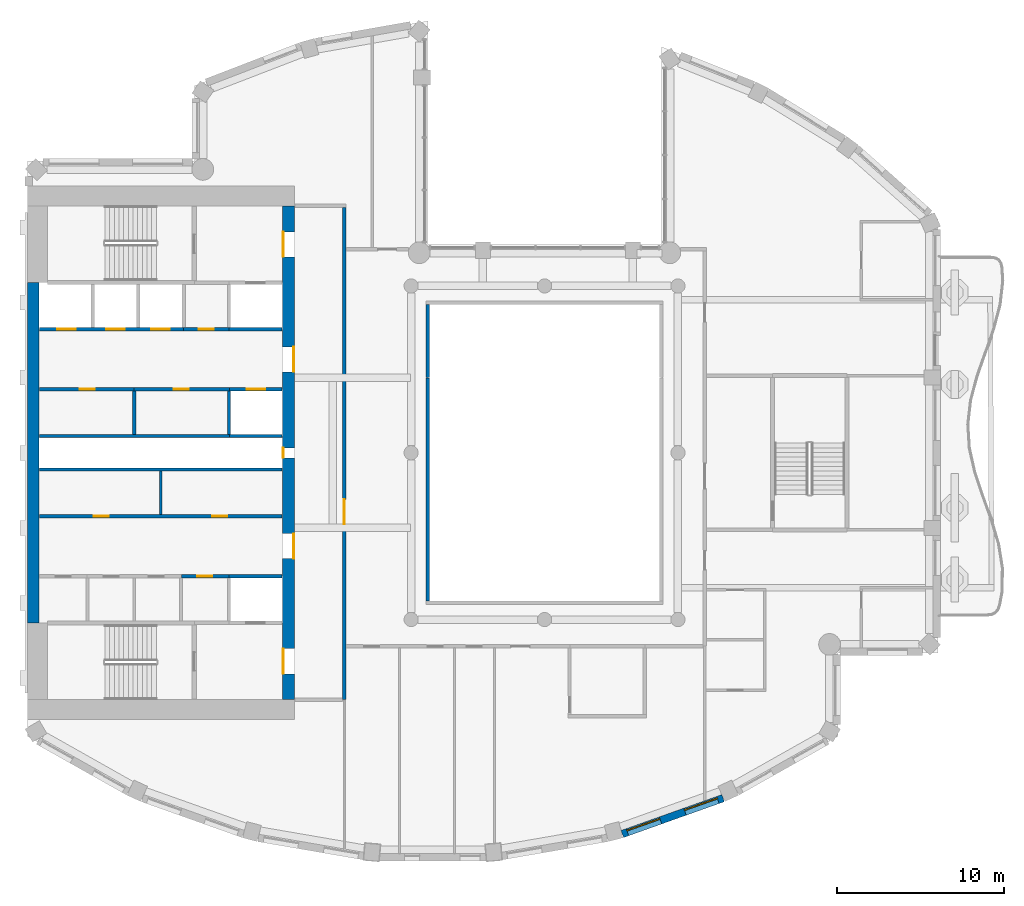
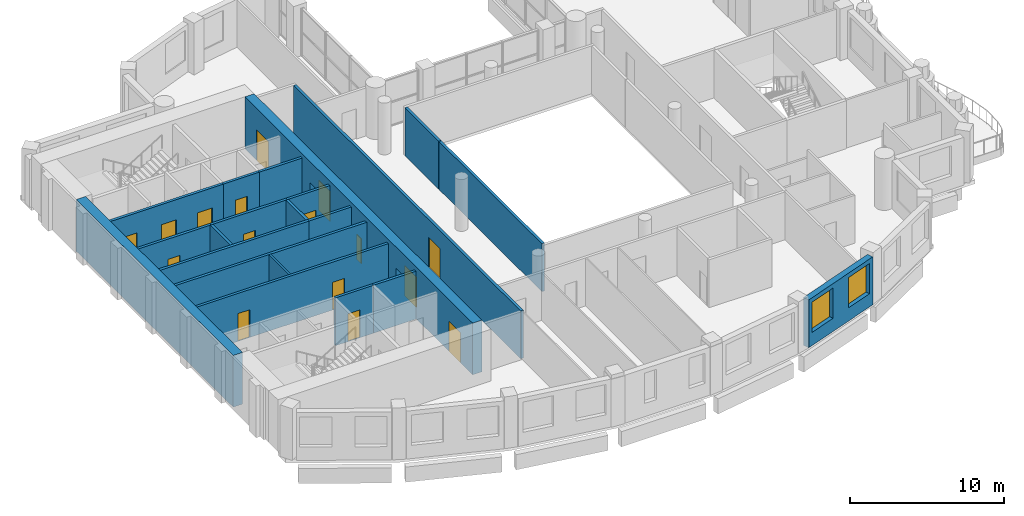
# One storey, part 5 of 15: 21 walls, 16 doors, 2 windows, 18 openings.
"""IFC4 building model written with IfcOpenShell, lengths in metres."""

import ifcopenshell
import ifcopenshell.guid

model = None  # the IFC model being written
_history = None  # IfcOwnerHistory: only IFC2X3 demands one
_inside = {}  # id of a spatial element -> (the spatial element, [elements in it])
_under = {}  # id of a project, library or spatial element -> (it, [spatial elements below it])
_declared = {}  # id of a project -> (the project, [libraries it declares])
_typed = {}  # id of a type object -> (the type object, [elements of that type])
_made_of = {}  # id of a material, layer set ... -> (it, [elements and type objects made of it])


def new_model(schema):
    """Start an empty IFC model of exactly this schema.

    Asked for "IFC4X3", IfcOpenShell would pick the latest addendum, in which some entities
    have other attributes; the version numbers below select the first issue.
    IFC2X3 requires an IfcOwnerHistory on every rooted entity: one is made here for all.
    """
    global model, _history
    if schema == "IFC4X3":
        model = ifcopenshell.file(schema_version=(4, 3, 0, 0))
    else:
        model = ifcopenshell.file(schema=schema)
    _inside.clear()
    _under.clear()
    _declared.clear()
    _typed.clear()
    _made_of.clear()
    _history = None
    if model.schema == "IFC2X3":
        org = make("IfcOrganization", Name="unknown")
        user = make(
            "IfcPersonAndOrganization",
            ThePerson=make("IfcPerson", FamilyName="unknown"),
            TheOrganization=org,
        )
        app = make(
            "IfcApplication",
            ApplicationDeveloper=org,
            Version="unknown",
            ApplicationFullName="unknown",
            ApplicationIdentifier="unknown",
        )
        _history = make(
            "IfcOwnerHistory",
            OwningUser=user,
            OwningApplication=app,
            ChangeAction="ADDED",
            CreationDate=0,
        )
    return model


def make(cls, **values):
    """One entity of the class cls with the attributes given. An attribute that is None is left unset."""
    return model.create_entity(
        cls, **{name: value for name, value in values.items() if value is not None}
    )


def rooted(cls, **values):
    """An entity with a GlobalId (a new one), such as an element, a storey or a relation."""
    return make(cls, GlobalId=ifcopenshell.guid.new(), OwnerHistory=_history, **values)


def si_unit(unit_type, name, prefix=None):
    """IfcSIUnit, for example si_unit("LENGTHUNIT", "METRE", prefix="MILLI")."""
    return make("IfcSIUnit", UnitType=unit_type, Prefix=prefix, Name=name)


def assignment(units):
    """IfcUnitAssignment: the units of a project."""
    return None if units is None else make("IfcUnitAssignment", Units=units)


def point(xyz):
    """IfcCartesianPoint."""
    return None if xyz is None else make("IfcCartesianPoint", Coordinates=xyz)


def direction(xyz):
    """IfcDirection."""
    return None if xyz is None else make("IfcDirection", DirectionRatios=xyz)


def frame(location, z_axis=None, x_axis=None):
    """IfcAxis2Placement3D, a coordinate frame: its origin and axes. An axis left out is left unset."""
    return make(
        "IfcAxis2Placement3D",
        Location=point(location),
        Axis=direction(z_axis),
        RefDirection=direction(x_axis),
    )


def frame_2d(location, x_axis=None):
    """IfcAxis2Placement2D, a coordinate frame in the plane: its origin and x axis."""
    return make(
        "IfcAxis2Placement2D", Location=point(location), RefDirection=direction(x_axis)
    )


def origin():
    """The frame at (0, 0, 0) with its axes left unset."""
    return frame((0.0, 0.0, 0.0))


def place(relative_to, where):
    """IfcLocalPlacement: puts the frame where relative to a parent placement (None: the world)."""
    return make(
        "IfcLocalPlacement", PlacementRelTo=relative_to, RelativePlacement=where
    )


def context(
    kind, dimensions, precision=None, world=None, true_north=None, identifier=None
):
    """IfcGeometricRepresentationContext, for example the 3D "Model" context."""
    return make(
        "IfcGeometricRepresentationContext",
        ContextIdentifier=identifier,
        ContextType=kind,
        CoordinateSpaceDimension=dimensions,
        Precision=precision,
        WorldCoordinateSystem=world,
        TrueNorth=true_north,
    )


def subcontext(parent, identifier, kind, view, scale=None):
    """IfcGeometricRepresentationSubContext, for example "Body" below "Model"."""
    return make(
        "IfcGeometricRepresentationSubContext",
        ContextIdentifier=identifier,
        ContextType=kind,
        ParentContext=parent,
        TargetScale=scale,
        TargetView=view,
    )


def project(units=None, contexts=None):
    """IfcProject with its units and contexts."""
    return rooted(
        "IfcProject",
        Name="project",
        RepresentationContexts=contexts,
        UnitsInContext=assignment(units),
    )


def spatial(cls, under=None, at=None, **own):
    """A site, building, storey or space (cls), placed at a placement, below another one or the project."""
    s = rooted(cls, ObjectPlacement=at, **own)
    if under is not None:
        _under.setdefault(under.id(), (under, []))[1].append(s)
    return s


def profile(cls, at=None, kind="AREA", **sizes):
    """A parametric profile (cls). Its sizes go by their IFC names, for example OverallWidth=200.0."""
    return make(cls, ProfileType=kind, Position=at, **sizes)


def rectangle(**sizes):
    """IfcRectangleProfileDef."""
    return profile("IfcRectangleProfileDef", **sizes)


def extrude(swept, where, along, depth):
    """IfcExtrudedAreaSolid: the profile swept, set in the frame where, extruded along a direction by depth."""
    return make(
        "IfcExtrudedAreaSolid",
        SweptArea=swept,
        Position=where,
        ExtrudedDirection=direction(along),
        Depth=depth,
    )


def shape(context_of_items, identifier, shape_type, items):
    """IfcShapeRepresentation: the items that make up one representation, for example the "Body"."""
    return make(
        "IfcShapeRepresentation",
        ContextOfItems=context_of_items,
        RepresentationIdentifier=identifier,
        RepresentationType=shape_type,
        Items=items,
    )


def material(Name=None, Category=None):
    """IfcMaterial."""
    return make("IfcMaterial", Name=Name, Category=Category)


def layer(
    of_material, thickness, ventilated=None, Name=None, Category=None, Priority=None
):
    """IfcMaterialLayer: one layer of a wall or slab, of a material (None: an air gap)."""
    return make(
        "IfcMaterialLayer",
        Material=of_material,
        LayerThickness=thickness,
        IsVentilated=ventilated,
        Name=Name,
        Category=Category,
        Priority=Priority,
    )


def layer_set(layers, Name=None):
    """IfcMaterialLayerSet."""
    return make("IfcMaterialLayerSet", MaterialLayers=layers, LayerSetName=Name)


def made_of(thing, what):
    """Note that an element or type object is made of a material, layer set ...; save() writes the relation."""
    if what is not None:
        _made_of.setdefault(what.id(), (what, []))[1].append(thing)
    return thing


def type_object(cls, material=None, **own):
    """A type object (cls), such as IfcWallType, which elements share."""
    return made_of(rooted(cls, **own), material)


def element(
    cls,
    number,
    at=None,
    inside=None,
    cuts=None,
    type_object=None,
    material=None,
    context=None,
    identifier="Body",
    shape_type=None,
    held_by="IfcProductDefinitionShape",
    body=None,
    shapes=None,
    **own,
):
    """One element of the class cls, such as IfcWall. Its Tag is "e" and its number.

    at: its placement. inside: the storey or other place that contains it. cuts: it is an
    opening in that element (IfcRelVoidsElement). A single representation is given by context,
    identifier, shape_type and body (its items); several are given by shapes. held_by: the class
    of the entity that holds the representations. save() writes the other relations.
    """
    e = rooted(cls, Tag="e%d" % number, ObjectPlacement=at, **own)
    if body is not None:
        shapes = [shape(context, identifier, shape_type, body)]
    if shapes is not None:
        e.Representation = make(held_by, Representations=shapes)
    if inside is not None:
        _inside.setdefault(inside.id(), (inside, []))[1].append(e)
    if cuts is not None:
        rooted(
            "IfcRelVoidsElement", RelatingBuildingElement=cuts, RelatedOpeningElement=e
        )
    if type_object is not None:
        _typed.setdefault(type_object.id(), (type_object, []))[1].append(e)
    return made_of(e, material)


def fill(opening, filler):
    """IfcRelFillsElement: the door or window that sits in an opening."""
    return rooted(
        "IfcRelFillsElement",
        RelatingOpeningElement=opening,
        RelatedBuildingElement=filler,
    )


def aggregate(whole, parts):
    """IfcRelAggregates: a whole, such as a stair, and the parts it consists of."""
    return rooted("IfcRelAggregates", RelatingObject=whole, RelatedObjects=parts)


def save(model, path):
    """Write the relations noted so far, then the file.

    IfcRelAggregates (storeys below a building ...), IfcRelContainedInSpatialStructure (elements
    in a storey), IfcRelDefinesByType, IfcRelAssociatesMaterial and IfcRelDeclares: one each for
    every whole, place, type object, material and project.
    """
    for whole, parts in _under.values():
        aggregate(whole, parts)
    for where, things in _inside.values():
        rooted(
            "IfcRelContainedInSpatialStructure",
            RelatedElements=things,
            RelatingStructure=where,
        )
    for kind, things in _typed.values():
        rooted("IfcRelDefinesByType", RelatedObjects=things, RelatingType=kind)
    for what, things in _made_of.values():
        rooted("IfcRelAssociatesMaterial", RelatedObjects=things, RelatingMaterial=what)
    for by, libraries in _declared.values():
        rooted("IfcRelDeclares", RelatingContext=by, RelatedDefinitions=libraries)
    model.write(path)


model = new_model("IFC4")

# Units and contexts
model_context = context("Model", 3, precision=1e-05, world=origin(), true_north=direction((0.0, 1.0)))
body_context = subcontext(model_context, "Body", "Model", "MODEL_VIEW")
ifc_project = project(units=[si_unit("LENGTHUNIT", "METRE"), si_unit("AREAUNIT", "SQUARE_METRE"), si_unit("VOLUMEUNIT", "CUBIC_METRE"), si_unit("PLANEANGLEUNIT", "RADIAN"), si_unit("MASSUNIT", "GRAM", prefix="KILO")], contexts=[model_context])

# Site, building, storey
site_placement = place(None, origin())
site = spatial("IfcSite", under=ifc_project, at=site_placement, CompositionType="ELEMENT")
building_placement = place(site_placement, origin())
building = spatial("IfcBuilding", under=site, at=building_placement, Name="Cypress Arch Tower", CompositionType="ELEMENT")
storey_placement = place(building_placement, frame((0.0, 0.0, 292.60009765625)))
storey = spatial("IfcBuildingStorey", under=building, at=storey_placement, Name="L66", CompositionType="ELEMENT", Elevation=292.60009765625)

# Wall, openings, windows
ifc_material_1 = material(Name="Brick (red buff blend)", Category="masonry")
ifc_layer_1 = layer(ifc_material_1, 0.449951171875)
ifc_layer_set_1 = layer_set([ifc_layer_1], Name="Brick pier and spandrel wall BW450")
wall_type_1 = type_object("IfcWallType", Name="Brick pier and spandrel wall BW450", PredefinedType="SOLIDWALL", material=ifc_layer_set_1)
wall_1_placement = place(storey_placement, frame((5.66455078125, -22.859375, 0.0), z_axis=(0.0, 0.0, 1.0), x_axis=(0.942108340262, 0.335308626803, 0.0)))
wall_1 = element("IfcWall", 1, at=wall_1_placement, inside=storey, type_object=wall_type_1, Name="Brick wall L66 C13.0", PredefinedType="SOLIDWALL", context=body_context, shape_type="SweptSolid", body=[
    extrude(rectangle(XDim=6.41162109375, YDim=0.449951171875, at=frame_2d((3.205810546875, 0.0))), origin(), (0.0, 0.0, 1.0), 3.7998046875),
])
opening_1_placement = place(wall_1_placement, frame((0.3271484375, 0.0, 1.050048828125)))
opening_1 = element("IfcOpeningElement", 2, at=opening_1_placement, cuts=wall_1, Name="Opening W210O", PredefinedType="OPENING", context=body_context, shape_type="SweptSolid", body=[
    extrude(rectangle(XDim=2.10009765625, YDim=2.39990234375, at=frame_2d((1.050048828125, 1.199951171875))), frame((0.0, 0.23486328125, 0.0), z_axis=(0.0, -1.0, 0.0), x_axis=(1.0, 0.0, 0.0)), (0.0, 0.0, 1.0), 0.469970703125),
])
opening_2_placement = place(wall_1_placement, frame((3.984619140625, 0.0, 1.050048828125)))
opening_2 = element("IfcOpeningElement", 3, at=opening_2_placement, cuts=wall_1, Name="Opening W210O", PredefinedType="OPENING", context=body_context, shape_type="SweptSolid", body=[
    extrude(rectangle(XDim=2.10009765625, YDim=2.39990234375, at=frame_2d((1.050048828125, 1.199951171875))), frame((0.0, 0.23486328125, 0.0), z_axis=(0.0, -1.0, 0.0), x_axis=(1.0, 0.0, 0.0)), (0.0, 0.0, 1.0), 0.469970703125),
])
ifc_material_2 = material(Name="Anodised aluminium, bronze finish, clear low-emissivity double glazing", Category="aluminium")
window_type = type_object("IfcWindowType", Name="Window Office 2100x2400", PartitioningType="SINGLE_PANEL", PredefinedType="WINDOW", material=ifc_material_2)
window_1_placement = place(opening_1_placement, origin())
window_1 = element("IfcWindow", 4, at=window_1_placement, inside=storey, type_object=window_type, Name="Window L66 C13.0.1", OverallHeight=2.39990234375, OverallWidth=2.10009765625, PartitioningType="SINGLE_PANEL", PredefinedType="WINDOW", context=body_context, shape_type="SweptSolid", body=[
    extrude(rectangle(XDim=2.10009765625, YDim=2.39990234375, at=frame_2d((1.050048828125, 1.199951171875))), frame((0.0, 0.135009765625, 0.0), z_axis=(0.0, -1.0, 0.0), x_axis=(1.0, 0.0, 0.0)), (0.0, 0.0, 1.0), 0.06005859375),
])
fill(opening_1, window_1)
window_2_placement = place(opening_2_placement, origin())
window_2 = element("IfcWindow", 5, at=window_2_placement, inside=storey, type_object=window_type, Name="Window L66 C13.0.2", OverallHeight=2.39990234375, OverallWidth=2.10009765625, PartitioningType="SINGLE_PANEL", PredefinedType="WINDOW", context=body_context, shape_type="SweptSolid", body=[
    extrude(rectangle(XDim=2.10009765625, YDim=2.39990234375, at=frame_2d((1.050048828125, 1.199951171875))), frame((0.0, 0.135009765625, 0.0), z_axis=(0.0, -1.0, 0.0), x_axis=(1.0, 0.0, 0.0)), (0.0, 0.0, 1.0), 0.06005859375),
])
fill(opening_2, window_2)

# Wall, openings, doors
ifc_material_3 = material(Name="Concrete C60/75", Category="concrete")
ifc_layer_2 = layer(ifc_material_3, 0.699951171875)
ifc_layer_set_2 = layer_set([ifc_layer_2], Name="Core wall CW700 C60/75")
wall_type_2 = type_object("IfcWallType", Name="Core wall CW700 C60/75", PredefinedType="SHEAR", material=ifc_layer_set_2)
wall_2_placement = place(storey_placement, frame((-14.35009765625, -14.800048828125, 0.0), z_axis=(0.0, 0.0, 1.0), x_axis=(0.0, 1.0, 0.0)))
wall_2 = element("IfcWall", 6, at=wall_2_placement, inside=storey, type_object=wall_type_2, Name="Core wall", PredefinedType="SHEAR", context=body_context, shape_type="SweptSolid", body=[
    extrude(rectangle(XDim=29.60009765625, YDim=0.699951171875, at=frame_2d((14.800048828125, 0.0))), origin(), (0.0, 0.0, 1.0), 4.099853515625),
])
opening_3_placement = place(wall_2_placement, frame((1.550048828125, 0.0, 0.0)))
opening_3 = element("IfcOpeningElement", 7, at=opening_3_placement, cuts=wall_2, Name="Opening D07", PredefinedType="OPENING", context=body_context, shape_type="SweptSolid", body=[
    extrude(rectangle(XDim=1.5, YDim=2.39990234375, at=frame_2d((0.75, 1.199951171875))), frame((0.0, 0.35986328125, 0.0), z_axis=(0.0, -1.0, 0.0), x_axis=(1.0, 0.0, 0.0)), (0.0, 0.0, 1.0), 0.719970703125),
])
opening_4_placement = place(wall_2_placement, frame((26.550048828125, 0.0, 0.0)))
opening_4 = element("IfcOpeningElement", 8, at=opening_4_placement, cuts=wall_2, Name="Opening D07", PredefinedType="OPENING", context=body_context, shape_type="SweptSolid", body=[
    extrude(rectangle(XDim=1.5, YDim=2.39990234375, at=frame_2d((0.75, 1.199951171875))), frame((0.0, 0.35986328125, 0.0), z_axis=(0.0, -1.0, 0.0), x_axis=(1.0, 0.0, 0.0)), (0.0, 0.0, 1.0), 0.719970703125),
])
opening_5_placement = place(wall_2_placement, frame((8.449951171875, 0.0, 0.0)))
opening_5 = element("IfcOpeningElement", 9, at=opening_5_placement, cuts=wall_2, Name="Opening D07", PredefinedType="OPENING", context=body_context, shape_type="SweptSolid", body=[
    extrude(rectangle(XDim=1.5, YDim=2.39990234375, at=frame_2d((0.75, 1.199951171875))), frame((0.0, 0.35986328125, 0.0), z_axis=(0.0, -1.0, 0.0), x_axis=(1.0, 0.0, 0.0)), (0.0, 0.0, 1.0), 0.719970703125),
])
opening_6_placement = place(wall_2_placement, frame((19.64990234375, 0.0, 0.0)))
opening_6 = element("IfcOpeningElement", 10, at=opening_6_placement, cuts=wall_2, Name="Opening D07", PredefinedType="OPENING", context=body_context, shape_type="SweptSolid", body=[
    extrude(rectangle(XDim=1.5, YDim=2.39990234375, at=frame_2d((0.75, 1.199951171875))), frame((0.0, 0.35986328125, 0.0), z_axis=(0.0, -1.0, 0.0), x_axis=(1.0, 0.0, 0.0)), (0.0, 0.0, 1.0), 0.719970703125),
])
opening_7_placement = place(wall_2_placement, frame((14.5, 0.0, 0.0)))
opening_7 = element("IfcOpeningElement", 11, at=opening_7_placement, cuts=wall_2, Name="Opening D08", PredefinedType="OPENING", context=body_context, shape_type="SweptSolid", body=[
    extrude(rectangle(XDim=0.60009765625, YDim=2.0, at=frame_2d((0.300048828125, 1.0))), frame((0.0, 0.35986328125, 0.0), z_axis=(0.0, -1.0, 0.0), x_axis=(1.0, 0.0, 0.0)), (0.0, 0.0, 1.0), 0.719970703125),
])
ifc_material_4 = material(Name="Steel framed glazed door, fire resisting", Category="steel")
door_type_1 = type_object("IfcDoorType", Name="Lobby door D07 1500x2400", OperationType="DOUBLE_DOOR_SINGLE_SWING", PredefinedType="DOOR", material=ifc_material_4)
door_1_placement = place(opening_3_placement, origin())
door_1 = element("IfcDoor", 12, at=door_1_placement, inside=storey, type_object=door_type_1, Name="Lobby door", OperationType="DOUBLE_DOOR_SINGLE_SWING", OverallHeight=2.39990234375, OverallWidth=1.5, PredefinedType="DOOR", context=body_context, shape_type="SweptSolid", body=[
    extrude(rectangle(XDim=1.5, YDim=2.39990234375, at=frame_2d((0.75, 1.199951171875))), frame((0.0, 0.34521484375, 0.0), z_axis=(0.0, -1.0, 0.0), x_axis=(1.0, 0.0, 0.0)), (0.0, 0.0, 1.0), 0.050048828125),
])
fill(opening_3, door_1)
door_2_placement = place(opening_4_placement, origin())
door_2 = element("IfcDoor", 13, at=door_2_placement, inside=storey, type_object=door_type_1, Name="Lobby door", OperationType="DOUBLE_DOOR_SINGLE_SWING", OverallHeight=2.39990234375, OverallWidth=1.5, PredefinedType="DOOR", context=body_context, shape_type="SweptSolid", body=[
    extrude(rectangle(XDim=1.5, YDim=2.39990234375, at=frame_2d((0.75, 1.199951171875))), frame((0.0, 0.34521484375, 0.0), z_axis=(0.0, -1.0, 0.0), x_axis=(1.0, 0.0, 0.0)), (0.0, 0.0, 1.0), 0.050048828125),
])
fill(opening_4, door_2)
door_3_placement = place(opening_5_placement, origin())
door_3 = element("IfcDoor", 14, at=door_3_placement, inside=storey, type_object=door_type_1, Name="Lobby door", OperationType="DOUBLE_DOOR_SINGLE_SWING", OverallHeight=2.39990234375, OverallWidth=1.5, PredefinedType="DOOR", context=body_context, shape_type="SweptSolid", body=[
    extrude(rectangle(XDim=1.5, YDim=2.39990234375, at=frame_2d((0.75, 1.199951171875))), frame((0.0, -0.294921875, 0.0), z_axis=(0.0, -1.0, 0.0), x_axis=(1.0, 0.0, 0.0)), (0.0, 0.0, 1.0), 0.050048828125),
])
fill(opening_5, door_3)
door_4_placement = place(opening_6_placement, origin())
door_4 = element("IfcDoor", 15, at=door_4_placement, inside=storey, type_object=door_type_1, Name="Lobby door", OperationType="DOUBLE_DOOR_SINGLE_SWING", OverallHeight=2.39990234375, OverallWidth=1.5, PredefinedType="DOOR", context=body_context, shape_type="SweptSolid", body=[
    extrude(rectangle(XDim=1.5, YDim=2.39990234375, at=frame_2d((0.75, 1.199951171875))), frame((0.0, -0.294921875, 0.0), z_axis=(0.0, -1.0, 0.0), x_axis=(1.0, 0.0, 0.0)), (0.0, 0.0, 1.0), 0.050048828125),
])
fill(opening_6, door_4)
ifc_material_5 = material(Name="Steel access door, fire resisting", Category="steel")
door_type_2 = type_object("IfcDoorType", Name="Riser access door D08 600x2000", OperationType="SINGLE_SWING_LEFT", PredefinedType="DOOR", material=ifc_material_5)
door_5_placement = place(opening_7_placement, origin())
door_5 = element("IfcDoor", 16, at=door_5_placement, inside=storey, type_object=door_type_2, Name="Riser access door", OperationType="SINGLE_SWING_RIGHT", OverallHeight=2.0, OverallWidth=0.60009765625, PredefinedType="DOOR", context=body_context, shape_type="SweptSolid", body=[
    extrude(rectangle(XDim=0.60009765625, YDim=2.0, at=frame_2d((0.300048828125, 1.0))), frame((0.0, 0.34521484375, 0.0), z_axis=(0.0, -1.0, 0.0), x_axis=(1.0, 0.0, 0.0)), (0.0, 0.0, 1.0), 0.050048828125),
])
fill(opening_7, door_5)

# Wall
wall_3_placement = place(storey_placement, frame((-29.64990234375, -10.199951171875, 0.0), z_axis=(0.0, 0.0, 1.0), x_axis=(0.0, 1.0, 0.0)))
element("IfcWall", 17, at=wall_3_placement, inside=storey, type_object=wall_type_2, Name="Core wall", PredefinedType="SHEAR", context=body_context, shape_type="SweptSolid", body=[
    extrude(rectangle(XDim=20.39990234375, YDim=0.699951171875, at=frame_2d((10.199951171875, 0.0))), origin(), (0.0, 0.0, 1.0), 4.099853515625),
])

# Wall, openings, doors
ifc_material_6 = material(Name="Concrete blockwork, plastered, rated", Category="masonry")
ifc_layer_3 = layer(ifc_material_6, 0.199951171875)
ifc_layer_set_3 = layer_set([ifc_layer_3], Name="Corridor wall FW200")
wall_type_3 = type_object("IfcWallType", Name="Corridor wall FW200", PredefinedType="PARTITIONING", material=ifc_layer_set_3)
wall_4_placement = place(storey_placement, frame((-29.27001953125, -3.800048828125, 0.0), z_axis=(0.0, 0.0, 1.0), x_axis=(1.0, 0.0, 0.0)))
wall_4 = element("IfcWall", 18, at=wall_4_placement, inside=storey, type_object=wall_type_3, Name="Corridor wall", PredefinedType="PARTITIONING", context=body_context, shape_type="SweptSolid", body=[
    extrude(rectangle(XDim=14.5400390625, YDim=0.199951171875, at=frame_2d((7.27001953125, 0.0))), origin(), (0.0, 0.0, 1.0), 3.7998046875),
])
opening_8_placement = place(wall_4_placement, frame((3.25, 0.0, 0.0)))
opening_8 = element("IfcOpeningElement", 19, at=opening_8_placement, cuts=wall_4, Name="Opening D05", PredefinedType="OPENING", context=body_context, shape_type="SweptSolid", body=[
    extrude(rectangle(XDim=0.89990234375, YDim=2.199951171875, at=frame_2d((0.449951171875, 1.10009765625))), frame((0.0, 0.10986328125, 0.0), z_axis=(0.0, -1.0, 0.0), x_axis=(1.0, 0.0, 0.0)), (0.0, 0.0, 1.0), 0.219970703125),
])
opening_9_placement = place(wall_4_placement, frame((10.35009765625, 0.0, 0.0)))
opening_9 = element("IfcOpeningElement", 20, at=opening_9_placement, cuts=wall_4, Name="Opening D05", PredefinedType="OPENING", context=body_context, shape_type="SweptSolid", body=[
    extrude(rectangle(XDim=0.89990234375, YDim=2.199951171875, at=frame_2d((0.449951171875, 1.10009765625))), frame((0.0, 0.10986328125, 0.0), z_axis=(0.0, -1.0, 0.0), x_axis=(1.0, 0.0, 0.0)), (0.0, 0.0, 1.0), 0.219970703125),
])
ifc_material_7 = material(Name="Timber flush door", Category="wood")
door_type_3 = type_object("IfcDoorType", Name="Service door D05 900x2200", OperationType="SINGLE_SWING_LEFT", PredefinedType="DOOR", material=ifc_material_7)
door_6_placement = place(opening_8_placement, origin())
door_6 = element("IfcDoor", 21, at=door_6_placement, inside=storey, type_object=door_type_3, Name="Service door", OperationType="SINGLE_SWING_LEFT", OverallHeight=2.199951171875, OverallWidth=0.89990234375, PredefinedType="DOOR", context=body_context, shape_type="SweptSolid", body=[
    extrude(rectangle(XDim=0.89990234375, YDim=2.199951171875, at=frame_2d((0.449951171875, 1.10009765625))), frame((0.0, 0.02490234375, 0.0), z_axis=(0.0, -1.0, 0.0), x_axis=(1.0, 0.0, 0.0)), (0.0, 0.0, 1.0), 0.050048828125),
])
fill(opening_8, door_6)
door_7_placement = place(opening_9_placement, origin())
door_7 = element("IfcDoor", 22, at=door_7_placement, inside=storey, type_object=door_type_3, Name="Service door", OperationType="SINGLE_SWING_RIGHT", OverallHeight=2.199951171875, OverallWidth=0.89990234375, PredefinedType="DOOR", context=body_context, shape_type="SweptSolid", body=[
    extrude(rectangle(XDim=0.89990234375, YDim=2.199951171875, at=frame_2d((0.449951171875, 1.10009765625))), frame((0.0, 0.02490234375, 0.0), z_axis=(0.0, -1.0, 0.0), x_axis=(1.0, 0.0, 0.0)), (0.0, 0.0, 1.0), 0.050048828125),
])
fill(opening_9, door_7)

# Wall, opening, door
wall_5_placement = place(storey_placement, frame((-23.6201171875, 3.800048828125, 0.0), z_axis=(0.0, 0.0, 1.0), x_axis=(1.0, 0.0, 0.0)))
wall_5 = element("IfcWall", 23, at=wall_5_placement, inside=storey, type_object=wall_type_3, Name="Corridor wall", PredefinedType="PARTITIONING", context=body_context, shape_type="SweptSolid", body=[
    extrude(rectangle(XDim=5.72021484375, YDim=0.199951171875, at=frame_2d((2.860107421875, 0.0))), origin(), (0.0, 0.0, 1.0), 3.7998046875),
])
opening_10_placement = place(wall_5_placement, frame((2.39990234375, 0.0, 0.0)))
opening_10 = element("IfcOpeningElement", 24, at=opening_10_placement, cuts=wall_5, Name="Opening D05", PredefinedType="OPENING", context=body_context, shape_type="SweptSolid", body=[
    extrude(rectangle(XDim=0.89990234375, YDim=2.199951171875, at=frame_2d((0.449951171875, 1.10009765625))), frame((0.0, 0.10986328125, 0.0), z_axis=(0.0, -1.0, 0.0), x_axis=(1.0, 0.0, 0.0)), (0.0, 0.0, 1.0), 0.219970703125),
])
door_8_placement = place(opening_10_placement, origin())
door_8 = element("IfcDoor", 25, at=door_8_placement, inside=storey, type_object=door_type_3, Name="Service door", OperationType="SINGLE_SWING_RIGHT", OverallHeight=2.199951171875, OverallWidth=0.89990234375, PredefinedType="DOOR", context=body_context, shape_type="SweptSolid", body=[
    extrude(rectangle(XDim=0.89990234375, YDim=2.199951171875, at=frame_2d((0.449951171875, 1.10009765625))), frame((0.0, 0.02490234375, 0.0), z_axis=(0.0, -1.0, 0.0), x_axis=(1.0, 0.0, 0.0)), (0.0, 0.0, 1.0), 0.050048828125),
])
fill(opening_10, door_8)

wall_6_placement = place(storey_placement, frame((-20.639892578125, 7.39990234375, 0.0), z_axis=(0.0, 0.0, 1.0), x_axis=(1.0, 0.0, 0.0)))
wall_6 = element("IfcWall", 26, at=wall_6_placement, inside=storey, type_object=wall_type_3, Name="Corridor wall", PredefinedType="PARTITIONING", context=body_context, shape_type="SweptSolid", body=[
    extrude(rectangle(XDim=2.719970703125, YDim=0.199951171875, at=frame_2d((1.35986328125, 0.0))), origin(), (0.0, 0.0, 1.0), 3.7998046875),
])
opening_11_placement = place(wall_6_placement, frame((0.89990234375, 0.0, 0.0)))
opening_11 = element("IfcOpeningElement", 27, at=opening_11_placement, cuts=wall_6, Name="Opening D05", PredefinedType="OPENING", context=body_context, shape_type="SweptSolid", body=[
    extrude(rectangle(XDim=0.89990234375, YDim=2.199951171875, at=frame_2d((0.449951171875, 1.10009765625))), frame((0.0, 0.10986328125, 0.0), z_axis=(0.0, -1.0, 0.0), x_axis=(1.0, 0.0, 0.0)), (0.0, 0.0, 1.0), 0.219970703125),
])
door_9_placement = place(opening_11_placement, origin())
door_9 = element("IfcDoor", 28, at=door_9_placement, inside=storey, type_object=door_type_3, Name="Service door", OperationType="SINGLE_SWING_LEFT", OverallHeight=2.199951171875, OverallWidth=0.89990234375, PredefinedType="DOOR", context=body_context, shape_type="SweptSolid", body=[
    extrude(rectangle(XDim=0.89990234375, YDim=2.199951171875, at=frame_2d((0.449951171875, 1.10009765625))), frame((0.0, 0.02490234375, 0.0), z_axis=(0.0, -1.0, 0.0), x_axis=(1.0, 0.0, 0.0)), (0.0, 0.0, 1.0), 0.050048828125),
])
fill(opening_11, door_9)

wall_7_placement = place(storey_placement, frame((-11.0, -14.800048828125, 0.0), z_axis=(0.0, 0.0, 1.0), x_axis=(0.0, 1.0, 0.0)))
wall_7 = element("IfcWall", 29, at=wall_7_placement, inside=storey, type_object=wall_type_3, Name="Corridor wall", PredefinedType="PARTITIONING", context=body_context, shape_type="SweptSolid", body=[
    extrude(rectangle(XDim=29.5, YDim=0.199951171875, at=frame_2d((14.75, 0.0))), origin(), (0.0, 0.0, 1.0), 3.7998046875),
])
opening_12_placement = place(wall_7_placement, frame((10.5, 0.0, 0.0)))
opening_12 = element("IfcOpeningElement", 30, at=opening_12_placement, cuts=wall_7, Name="Opening D07", PredefinedType="OPENING", context=body_context, shape_type="SweptSolid", body=[
    extrude(rectangle(XDim=1.5, YDim=2.39990234375, at=frame_2d((0.75, 1.199951171875))), frame((0.0, 0.10986328125, 0.0), z_axis=(0.0, -1.0, 0.0), x_axis=(1.0, 0.0, 0.0)), (0.0, 0.0, 1.0), 0.219970703125),
])
door_10_placement = place(opening_12_placement, origin())
door_10 = element("IfcDoor", 31, at=door_10_placement, inside=storey, type_object=door_type_1, Name="Lobby door", OperationType="DOUBLE_DOOR_SINGLE_SWING", OverallHeight=2.39990234375, OverallWidth=1.5, PredefinedType="DOOR", context=body_context, shape_type="SweptSolid", body=[
    extrude(rectangle(XDim=1.5, YDim=2.39990234375, at=frame_2d((0.75, 1.199951171875))), frame((0.0, 0.02490234375, 0.0), z_axis=(0.0, -1.0, 0.0), x_axis=(1.0, 0.0, 0.0)), (0.0, 0.0, 1.0), 0.050048828125),
])
fill(opening_12, door_10)

# Walls
wall_8_placement = place(storey_placement, frame((-6.0, -8.89990234375, 0.0), z_axis=(0.0, 0.0, 1.0), x_axis=(0.0, 1.0, 0.0)))
element("IfcWall", 32, at=wall_8_placement, inside=storey, type_object=wall_type_3, Name="Corridor wall", PredefinedType="PARTITIONING", context=body_context, shape_type="SweptSolid", body=[
    extrude(rectangle(XDim=13.3798828125, YDim=0.199951171875, at=frame_2d((6.68994140625, 0.0))), origin(), (0.0, 0.0, 1.0), 3.7998046875),
])
wall_9_placement = place(storey_placement, frame((-6.0, 4.52001953125, 0.0), z_axis=(0.0, 0.0, 1.0), x_axis=(0.0, 1.0, 0.0)))
element("IfcWall", 33, at=wall_9_placement, inside=storey, type_object=wall_type_3, Name="Corridor wall", PredefinedType="PARTITIONING", context=body_context, shape_type="SweptSolid", body=[
    extrude(rectangle(XDim=4.3798828125, YDim=0.199951171875, at=frame_2d((2.18994140625, 0.0))), origin(), (0.0, 0.0, 1.0), 3.7998046875),
])
ifc_material_8 = material(Name="Blockwork, plastered both sides", Category="masonry")
ifc_layer_4 = layer(ifc_material_8, 0.14990234375)
ifc_layer_set_4 = layer_set([ifc_layer_4], Name="Partition PW150")
wall_type_4 = type_object("IfcWallType", Name="Partition PW150", PredefinedType="PARTITIONING", material=ifc_layer_set_4)
wall_10_placement = place(storey_placement, frame((-22.0, -3.699951171875, 0.0), z_axis=(0.0, 0.0, 1.0), x_axis=(0.0, 1.0, 0.0)))
element("IfcWall", 34, at=wall_10_placement, inside=storey, type_object=wall_type_4, Name="Partition", PredefinedType="PARTITIONING", context=body_context, shape_type="SweptSolid", body=[
    extrude(rectangle(XDim=2.599853515625, YDim=0.14990234375, at=frame_2d((1.2998046875, 0.0))), origin(), (0.0, 0.0, 1.0), 3.7998046875),
])
ifc_material_9 = material(Name="Reinforced blockwork, plastered, rated", Category="masonry")
ifc_layer_5 = layer(ifc_material_9, 0.199951171875)
ifc_layer_set_5 = layer_set([ifc_layer_5], Name="Plant and riser wall PL200")
wall_type_5 = type_object("IfcWallType", Name="Plant and riser wall PL200", PredefinedType="PARTITIONING", material=ifc_layer_set_5)
wall_11_placement = place(storey_placement, frame((-29.27001953125, -1.0, 0.0), z_axis=(0.0, 0.0, 1.0), x_axis=(1.0, 0.0, 0.0)))
element("IfcWall", 35, at=wall_11_placement, inside=storey, type_object=wall_type_5, Name="Plant and riser wall", PredefinedType="PARTITIONING", context=body_context, shape_type="SweptSolid", body=[
    extrude(rectangle(XDim=14.5400390625, YDim=0.199951171875, at=frame_2d((7.27001953125, 0.0))), origin(), (0.0, 0.0, 1.0), 3.7998046875),
])
wall_12_placement = place(storey_placement, frame((-29.27001953125, 1.0, 0.0), z_axis=(0.0, 0.0, 1.0), x_axis=(1.0, 0.0, 0.0)))
element("IfcWall", 36, at=wall_12_placement, inside=storey, type_object=wall_type_5, Name="Plant and riser wall", PredefinedType="PARTITIONING", context=body_context, shape_type="SweptSolid", body=[
    extrude(rectangle(XDim=11.3701171875, YDim=0.199951171875, at=frame_2d((5.68505859375, 0.0))), origin(), (0.0, 0.0, 1.0), 3.7998046875),
])

# Wall, opening, door
wall_13_placement = place(storey_placement, frame((-29.27001953125, 3.800048828125, 0.0), z_axis=(0.0, 0.0, 1.0), x_axis=(1.0, 0.0, 0.0)))
wall_13 = element("IfcWall", 37, at=wall_13_placement, inside=storey, type_object=wall_type_5, Name="Plant and riser wall", PredefinedType="PARTITIONING", context=body_context, shape_type="SweptSolid", body=[
    extrude(rectangle(XDim=5.64990234375, YDim=0.199951171875, at=frame_2d((2.824951171875, 0.0))), origin(), (0.0, 0.0, 1.0), 3.7998046875),
])
opening_13_placement = place(wall_13_placement, frame((2.39990234375, 0.0, 0.0)))
opening_13 = element("IfcOpeningElement", 38, at=opening_13_placement, cuts=wall_13, Name="Opening D05", PredefinedType="OPENING", context=body_context, shape_type="SweptSolid", body=[
    extrude(rectangle(XDim=0.89990234375, YDim=2.199951171875, at=frame_2d((0.449951171875, 1.10009765625))), frame((0.0, 0.10986328125, 0.0), z_axis=(0.0, -1.0, 0.0), x_axis=(1.0, 0.0, 0.0)), (0.0, 0.0, 1.0), 0.219970703125),
])
door_11_placement = place(opening_13_placement, origin())
door_11 = element("IfcDoor", 39, at=door_11_placement, inside=storey, type_object=door_type_3, Name="Service door", OperationType="SINGLE_SWING_LEFT", OverallHeight=2.199951171875, OverallWidth=0.89990234375, PredefinedType="DOOR", context=body_context, shape_type="SweptSolid", body=[
    extrude(rectangle(XDim=0.89990234375, YDim=2.199951171875, at=frame_2d((0.449951171875, 1.10009765625))), frame((0.0, 0.02490234375, 0.0), z_axis=(0.0, -1.0, 0.0), x_axis=(1.0, 0.0, 0.0)), (0.0, 0.0, 1.0), 0.050048828125),
])
fill(opening_13, door_11)

# Wall
wall_14_placement = place(storey_placement, frame((-23.60009765625, 1.10009765625, 0.0), z_axis=(0.0, 0.0, 1.0), x_axis=(0.0, 1.0, 0.0)))
element("IfcWall", 40, at=wall_14_placement, inside=storey, type_object=wall_type_5, Name="Plant and riser wall", PredefinedType="PARTITIONING", context=body_context, shape_type="SweptSolid", body=[
    extrude(rectangle(XDim=2.599853515625, YDim=0.199951171875, at=frame_2d((1.2998046875, 0.0))), origin(), (0.0, 0.0, 1.0), 3.7998046875),
])

# Wall, opening, door
wall_15_placement = place(storey_placement, frame((-20.780029296875, -7.39990234375, 0.0), z_axis=(0.0, 0.0, 1.0), x_axis=(1.0, 0.0, 0.0)))
wall_15 = element("IfcWall", 41, at=wall_15_placement, inside=storey, type_object=wall_type_5, Name="Plant and riser wall", PredefinedType="PARTITIONING", context=body_context, shape_type="SweptSolid", body=[
    extrude(rectangle(XDim=2.860107421875, YDim=0.199951171875, at=frame_2d((1.43017578125, 0.0))), origin(), (0.0, 0.0, 1.0), 3.7998046875),
])
opening_14_placement = place(wall_15_placement, frame((0.949951171875, 0.0, 0.0)))
opening_14 = element("IfcOpeningElement", 42, at=opening_14_placement, cuts=wall_15, Name="Opening D05", PredefinedType="OPENING", context=body_context, shape_type="SweptSolid", body=[
    extrude(rectangle(XDim=0.89990234375, YDim=2.199951171875, at=frame_2d((0.449951171875, 1.10009765625))), frame((0.0, 0.10986328125, 0.0), z_axis=(0.0, -1.0, 0.0), x_axis=(1.0, 0.0, 0.0)), (0.0, 0.0, 1.0), 0.219970703125),
])
door_12_placement = place(opening_14_placement, origin())
door_12 = element("IfcDoor", 43, at=door_12_placement, inside=storey, type_object=door_type_3, Name="Service door", OperationType="SINGLE_SWING_RIGHT", OverallHeight=2.199951171875, OverallWidth=0.89990234375, PredefinedType="DOOR", context=body_context, shape_type="SweptSolid", body=[
    extrude(rectangle(XDim=0.89990234375, YDim=2.199951171875, at=frame_2d((0.449951171875, 1.10009765625))), frame((0.0, 0.02490234375, 0.0), z_axis=(0.0, -1.0, 0.0), x_axis=(1.0, 0.0, 0.0)), (0.0, 0.0, 1.0), 0.050048828125),
])
fill(opening_14, door_12)

# Wall, openings, doors
ifc_material_10 = material(Name="Concrete C50/60", Category="concrete")
ifc_layer_6 = layer(ifc_material_10, 0.199951171875)
ifc_layer_set_6 = layer_set([ifc_layer_6], Name="Shaft wall SH200")
wall_type_6 = type_object("IfcWallType", Name="Shaft wall SH200", PredefinedType="SHEAR", material=ifc_layer_set_6)
wall_16_placement = place(storey_placement, frame((-29.27001953125, 7.39990234375, 0.0), z_axis=(0.0, 0.0, 1.0), x_axis=(1.0, 0.0, 0.0)))
wall_16 = element("IfcWall", 44, at=wall_16_placement, inside=storey, type_object=wall_type_6, Name="Shaft wall", PredefinedType="SHEAR", context=body_context, shape_type="SweptSolid", body=[
    extrude(rectangle(XDim=8.630126953125, YDim=0.199951171875, at=frame_2d((4.31494140625, 0.0))), origin(), (0.0, 0.0, 1.0), 3.7998046875),
])
opening_15_placement = place(wall_16_placement, frame((1.050048828125, 0.0, 0.0)))
opening_15 = element("IfcOpeningElement", 45, at=opening_15_placement, cuts=wall_16, Name="Opening LD-HR5", PredefinedType="OPENING", context=body_context, shape_type="SweptSolid", body=[
    extrude(rectangle(XDim=1.10009765625, YDim=2.199951171875, at=frame_2d((0.550048828125, 1.10009765625))), frame((0.0, 0.10986328125, 0.0), z_axis=(0.0, -1.0, 0.0), x_axis=(1.0, 0.0, 0.0)), (0.0, 0.0, 1.0), 0.219970703125),
])
opening_16_placement = place(wall_16_placement, frame((4.0, 0.0, 0.0)))
opening_16 = element("IfcOpeningElement", 46, at=opening_16_placement, cuts=wall_16, Name="Opening LD-HR6", PredefinedType="OPENING", context=body_context, shape_type="SweptSolid", body=[
    extrude(rectangle(XDim=1.10009765625, YDim=2.199951171875, at=frame_2d((0.550048828125, 1.10009765625))), frame((0.0, 0.10986328125, 0.0), z_axis=(0.0, -1.0, 0.0), x_axis=(1.0, 0.0, 0.0)), (0.0, 0.0, 1.0), 0.219970703125),
])
opening_17_placement = place(wall_16_placement, frame((6.699951171875, 0.0, 0.0)))
opening_17 = element("IfcOpeningElement", 47, at=opening_17_placement, cuts=wall_16, Name="Opening LD-HR7", PredefinedType="OPENING", context=body_context, shape_type="SweptSolid", body=[
    extrude(rectangle(XDim=1.10009765625, YDim=2.199951171875, at=frame_2d((0.550048828125, 1.10009765625))), frame((0.0, 0.10986328125, 0.0), z_axis=(0.0, -1.0, 0.0), x_axis=(1.0, 0.0, 0.0)), (0.0, 0.0, 1.0), 0.219970703125),
])
ifc_material_11 = material(Name="Stainless steel centre-opening landing door, rated", Category="steel")
door_type_4 = type_object("IfcDoorType", Name="Lift landing door LD 1100x2200", OperationType="DOUBLE_DOOR_SLIDING", PredefinedType="DOOR", material=ifc_material_11)
door_13_placement = place(opening_15_placement, origin())
door_13 = element("IfcDoor", 48, at=door_13_placement, inside=storey, type_object=door_type_4, Name="Lift landing doors HR5", OperationType="DOUBLE_DOOR_SLIDING", OverallHeight=2.199951171875, OverallWidth=1.10009765625, PredefinedType="DOOR", context=body_context, shape_type="SweptSolid", body=[
    extrude(rectangle(XDim=1.10009765625, YDim=2.199951171875, at=frame_2d((0.550048828125, 1.10009765625))), frame((0.0, 0.02490234375, 0.0), z_axis=(0.0, -1.0, 0.0), x_axis=(1.0, 0.0, 0.0)), (0.0, 0.0, 1.0), 0.050048828125),
])
fill(opening_15, door_13)
door_14_placement = place(opening_16_placement, origin())
door_14 = element("IfcDoor", 49, at=door_14_placement, inside=storey, type_object=door_type_4, Name="Lift landing doors HR6", OperationType="DOUBLE_DOOR_SLIDING", OverallHeight=2.199951171875, OverallWidth=1.10009765625, PredefinedType="DOOR", context=body_context, shape_type="SweptSolid", body=[
    extrude(rectangle(XDim=1.10009765625, YDim=2.199951171875, at=frame_2d((0.550048828125, 1.10009765625))), frame((0.0, 0.02490234375, 0.0), z_axis=(0.0, -1.0, 0.0), x_axis=(1.0, 0.0, 0.0)), (0.0, 0.0, 1.0), 0.050048828125),
])
fill(opening_16, door_14)
door_15_placement = place(opening_17_placement, origin())
door_15 = element("IfcDoor", 50, at=door_15_placement, inside=storey, type_object=door_type_4, Name="Lift landing doors HR7", OperationType="DOUBLE_DOOR_SLIDING", OverallHeight=2.199951171875, OverallWidth=1.10009765625, PredefinedType="DOOR", context=body_context, shape_type="SweptSolid", body=[
    extrude(rectangle(XDim=1.10009765625, YDim=2.199951171875, at=frame_2d((0.550048828125, 1.10009765625))), frame((0.0, 0.02490234375, 0.0), z_axis=(0.0, -1.0, 0.0), x_axis=(1.0, 0.0, 0.0)), (0.0, 0.0, 1.0), 0.050048828125),
])
fill(opening_17, door_15)

# Walls
wall_17_placement = place(storey_placement, frame((-17.919921875, -7.39990234375, 0.0), z_axis=(0.0, 0.0, 1.0), x_axis=(1.0, 0.0, 0.0)))
element("IfcWall", 51, at=wall_17_placement, inside=storey, type_object=wall_type_6, Name="Shaft wall", PredefinedType="SHEAR", context=body_context, shape_type="SweptSolid", body=[
    extrude(rectangle(XDim=3.18994140625, YDim=0.199951171875, at=frame_2d((1.594970703125, 0.0))), origin(), (0.0, 0.0, 1.0), 3.7998046875),
])
wall_18_placement = place(storey_placement, frame((-17.919921875, 1.10009765625, 0.0), z_axis=(0.0, 0.0, 1.0), x_axis=(0.0, 1.0, 0.0)))
element("IfcWall", 52, at=wall_18_placement, inside=storey, type_object=wall_type_6, Name="Shaft wall", PredefinedType="SHEAR", context=body_context, shape_type="SweptSolid", body=[
    extrude(rectangle(XDim=2.599853515625, YDim=0.199951171875, at=frame_2d((1.2998046875, 0.0))), origin(), (0.0, 0.0, 1.0), 3.7998046875),
])
wall_19_placement = place(storey_placement, frame((-17.89990234375, 1.0, 0.0), z_axis=(0.0, 0.0, 1.0), x_axis=(1.0, 0.0, 0.0)))
element("IfcWall", 53, at=wall_19_placement, inside=storey, type_object=wall_type_6, Name="Shaft wall", PredefinedType="SHEAR", context=body_context, shape_type="SweptSolid", body=[
    extrude(rectangle(XDim=3.169921875, YDim=0.199951171875, at=frame_2d((1.5849609375, 0.0))), origin(), (0.0, 0.0, 1.0), 3.7998046875),
])

# Wall, opening, door
wall_20_placement = place(storey_placement, frame((-17.89990234375, 3.800048828125, 0.0), z_axis=(0.0, 0.0, 1.0), x_axis=(1.0, 0.0, 0.0)))
wall_20 = element("IfcWall", 54, at=wall_20_placement, inside=storey, type_object=wall_type_6, Name="Shaft wall", PredefinedType="SHEAR", context=body_context, shape_type="SweptSolid", body=[
    extrude(rectangle(XDim=3.169921875, YDim=0.199951171875, at=frame_2d((1.5849609375, 0.0))), origin(), (0.0, 0.0, 1.0), 3.7998046875),
])
opening_18_placement = place(wall_20_placement, frame((1.050048828125, 0.0, 0.0)))
opening_18 = element("IfcOpeningElement", 55, at=opening_18_placement, cuts=wall_20, Name="Opening LD-HR4", PredefinedType="OPENING", context=body_context, shape_type="SweptSolid", body=[
    extrude(rectangle(XDim=1.10009765625, YDim=2.199951171875, at=frame_2d((0.550048828125, 1.10009765625))), frame((0.0, 0.10986328125, 0.0), z_axis=(0.0, -1.0, 0.0), x_axis=(1.0, 0.0, 0.0)), (0.0, 0.0, 1.0), 0.219970703125),
])
door_16_placement = place(opening_18_placement, origin())
door_16 = element("IfcDoor", 56, at=door_16_placement, inside=storey, type_object=door_type_4, Name="Lift landing doors HR4", OperationType="DOUBLE_DOOR_SLIDING", OverallHeight=2.199951171875, OverallWidth=1.10009765625, PredefinedType="DOOR", context=body_context, shape_type="SweptSolid", body=[
    extrude(rectangle(XDim=1.10009765625, YDim=2.199951171875, at=frame_2d((0.550048828125, 1.10009765625))), frame((0.0, 0.02490234375, 0.0), z_axis=(0.0, -1.0, 0.0), x_axis=(1.0, 0.0, 0.0)), (0.0, 0.0, 1.0), 0.050048828125),
])
fill(opening_18, door_16)

# Wall
wall_21_placement = place(storey_placement, frame((-17.919921875, 7.39990234375, 0.0), z_axis=(0.0, 0.0, 1.0), x_axis=(1.0, 0.0, 0.0)))
element("IfcWall", 57, at=wall_21_placement, inside=storey, type_object=wall_type_6, Name="Shaft wall", PredefinedType="SHEAR", context=body_context, shape_type="SweptSolid", body=[
    extrude(rectangle(XDim=3.18994140625, YDim=0.199951171875, at=frame_2d((1.594970703125, 0.0))), origin(), (0.0, 0.0, 1.0), 3.7998046875),
])

save(model, "model.ifc")
